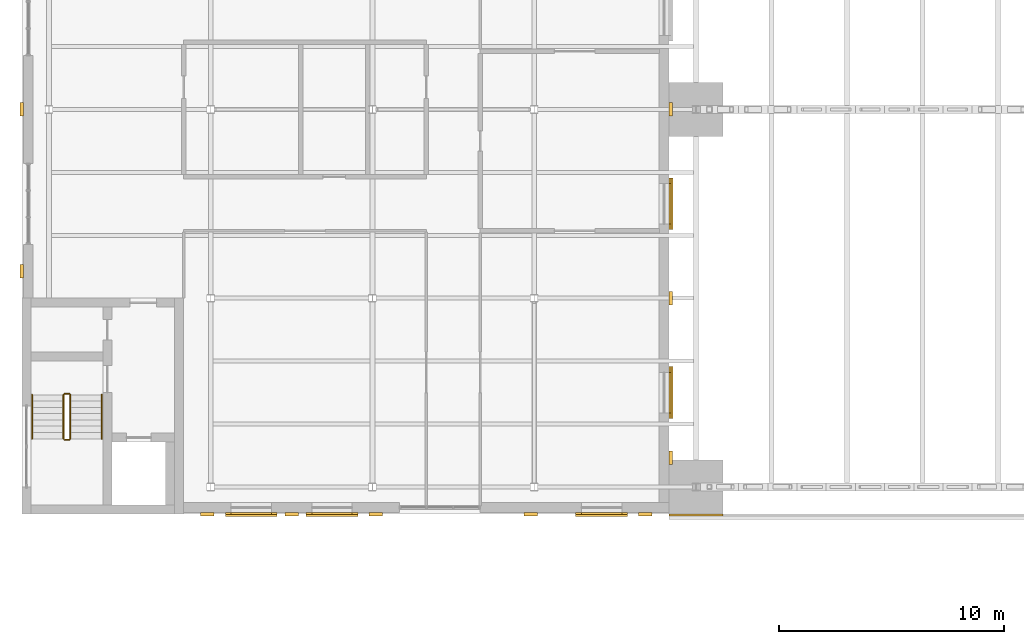
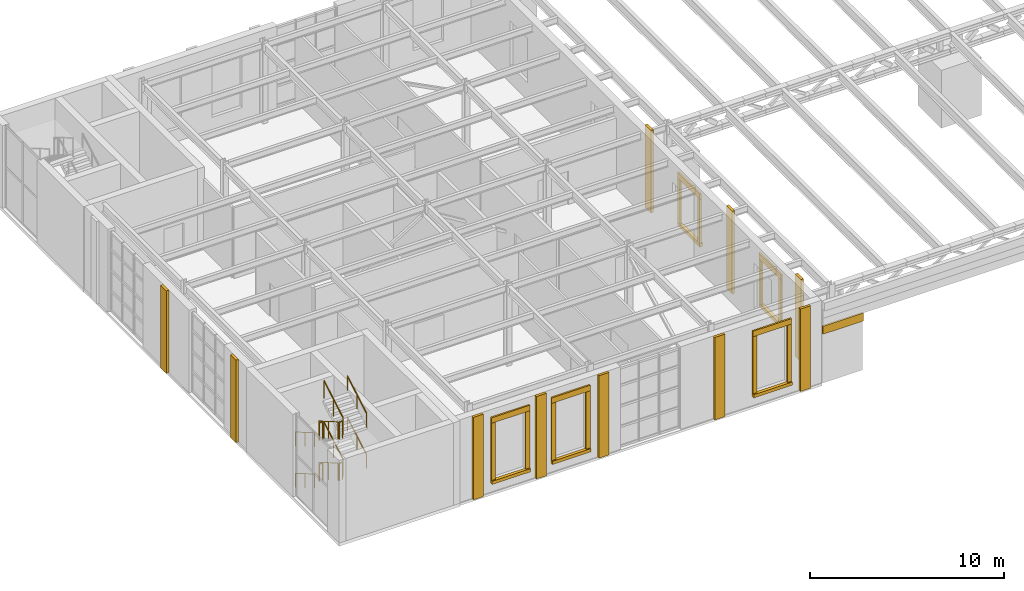
# One storey, part 79 of 93: 31 coverings, 12 railings.
"""IFC4 building model written with IfcOpenShell, lengths in metres."""

import ifcopenshell
import ifcopenshell.guid

model = None  # the IFC model being written
_history = None  # IfcOwnerHistory: only IFC2X3 demands one
_inside = {}  # id of a spatial element -> (the spatial element, [elements in it])
_under = {}  # id of a project, library or spatial element -> (it, [spatial elements below it])
_declared = {}  # id of a project -> (the project, [libraries it declares])
_typed = {}  # id of a type object -> (the type object, [elements of that type])
_made_of = {}  # id of a material, layer set ... -> (it, [elements and type objects made of it])


def new_model(schema):
    """Start an empty IFC model of exactly this schema.

    Asked for "IFC4X3", IfcOpenShell would pick the latest addendum, in which some entities
    have other attributes; the version numbers below select the first issue.
    IFC2X3 requires an IfcOwnerHistory on every rooted entity: one is made here for all.
    """
    global model, _history
    if schema == "IFC4X3":
        model = ifcopenshell.file(schema_version=(4, 3, 0, 0))
    else:
        model = ifcopenshell.file(schema=schema)
    _inside.clear()
    _under.clear()
    _declared.clear()
    _typed.clear()
    _made_of.clear()
    _history = None
    if model.schema == "IFC2X3":
        org = make("IfcOrganization", Name="unknown")
        user = make(
            "IfcPersonAndOrganization",
            ThePerson=make("IfcPerson", FamilyName="unknown"),
            TheOrganization=org,
        )
        app = make(
            "IfcApplication",
            ApplicationDeveloper=org,
            Version="unknown",
            ApplicationFullName="unknown",
            ApplicationIdentifier="unknown",
        )
        _history = make(
            "IfcOwnerHistory",
            OwningUser=user,
            OwningApplication=app,
            ChangeAction="ADDED",
            CreationDate=0,
        )
    return model


def make(cls, **values):
    """One entity of the class cls with the attributes given. An attribute that is None is left unset."""
    return model.create_entity(
        cls, **{name: value for name, value in values.items() if value is not None}
    )


def rooted(cls, **values):
    """An entity with a GlobalId (a new one), such as an element, a storey or a relation."""
    return make(cls, GlobalId=ifcopenshell.guid.new(), OwnerHistory=_history, **values)


def si_unit(unit_type, name, prefix=None):
    """IfcSIUnit, for example si_unit("LENGTHUNIT", "METRE", prefix="MILLI")."""
    return make("IfcSIUnit", UnitType=unit_type, Prefix=prefix, Name=name)


def assignment(units):
    """IfcUnitAssignment: the units of a project."""
    return None if units is None else make("IfcUnitAssignment", Units=units)


def point(xyz):
    """IfcCartesianPoint."""
    return None if xyz is None else make("IfcCartesianPoint", Coordinates=xyz)


def direction(xyz):
    """IfcDirection."""
    return None if xyz is None else make("IfcDirection", DirectionRatios=xyz)


def frame(location, z_axis=None, x_axis=None):
    """IfcAxis2Placement3D, a coordinate frame: its origin and axes. An axis left out is left unset."""
    return make(
        "IfcAxis2Placement3D",
        Location=point(location),
        Axis=direction(z_axis),
        RefDirection=direction(x_axis),
    )


def frame_2d(location, x_axis=None):
    """IfcAxis2Placement2D, a coordinate frame in the plane: its origin and x axis."""
    return make(
        "IfcAxis2Placement2D", Location=point(location), RefDirection=direction(x_axis)
    )


def origin():
    """The frame at (0, 0, 0) with its axes left unset."""
    return frame((0.0, 0.0, 0.0))


def origin_2d():
    """The frame at (0, 0) in the plane with its x axis left unset."""
    return frame_2d((0.0, 0.0))


def place(relative_to, where):
    """IfcLocalPlacement: puts the frame where relative to a parent placement (None: the world)."""
    return make(
        "IfcLocalPlacement", PlacementRelTo=relative_to, RelativePlacement=where
    )


def context(
    kind, dimensions, precision=None, world=None, true_north=None, identifier=None
):
    """IfcGeometricRepresentationContext, for example the 3D "Model" context."""
    return make(
        "IfcGeometricRepresentationContext",
        ContextIdentifier=identifier,
        ContextType=kind,
        CoordinateSpaceDimension=dimensions,
        Precision=precision,
        WorldCoordinateSystem=world,
        TrueNorth=true_north,
    )


def subcontext(parent, identifier, kind, view, scale=None):
    """IfcGeometricRepresentationSubContext, for example "Body" below "Model"."""
    return make(
        "IfcGeometricRepresentationSubContext",
        ContextIdentifier=identifier,
        ContextType=kind,
        ParentContext=parent,
        TargetScale=scale,
        TargetView=view,
    )


def project(units=None, contexts=None):
    """IfcProject with its units and contexts."""
    return rooted(
        "IfcProject",
        Name="project",
        RepresentationContexts=contexts,
        UnitsInContext=assignment(units),
    )


def spatial(cls, under=None, at=None, **own):
    """A site, building, storey or space (cls), placed at a placement, below another one or the project."""
    s = rooted(cls, ObjectPlacement=at, **own)
    if under is not None:
        _under.setdefault(under.id(), (under, []))[1].append(s)
    return s


def profile(cls, at=None, kind="AREA", **sizes):
    """A parametric profile (cls). Its sizes go by their IFC names, for example OverallWidth=200.0."""
    return make(cls, ProfileType=kind, Position=at, **sizes)


def rectangle(**sizes):
    """IfcRectangleProfileDef."""
    return profile("IfcRectangleProfileDef", **sizes)


def circle(**sizes):
    """IfcCircleProfileDef."""
    return profile("IfcCircleProfileDef", **sizes)


def extrude(swept, where, along, depth):
    """IfcExtrudedAreaSolid: the profile swept, set in the frame where, extruded along a direction by depth."""
    return make(
        "IfcExtrudedAreaSolid",
        SweptArea=swept,
        Position=where,
        ExtrudedDirection=direction(along),
        Depth=depth,
    )


def shape(context_of_items, identifier, shape_type, items):
    """IfcShapeRepresentation: the items that make up one representation, for example the "Body"."""
    return make(
        "IfcShapeRepresentation",
        ContextOfItems=context_of_items,
        RepresentationIdentifier=identifier,
        RepresentationType=shape_type,
        Items=items,
    )


def material(Name=None, Category=None):
    """IfcMaterial."""
    return make("IfcMaterial", Name=Name, Category=Category)


def layer(
    of_material, thickness, ventilated=None, Name=None, Category=None, Priority=None
):
    """IfcMaterialLayer: one layer of a wall or slab, of a material (None: an air gap)."""
    return make(
        "IfcMaterialLayer",
        Material=of_material,
        LayerThickness=thickness,
        IsVentilated=ventilated,
        Name=Name,
        Category=Category,
        Priority=Priority,
    )


def layer_set(layers, Name=None):
    """IfcMaterialLayerSet."""
    return make("IfcMaterialLayerSet", MaterialLayers=layers, LayerSetName=Name)


def made_of(thing, what):
    """Note that an element or type object is made of a material, layer set ...; save() writes the relation."""
    if what is not None:
        _made_of.setdefault(what.id(), (what, []))[1].append(thing)
    return thing


def type_object(cls, material=None, **own):
    """A type object (cls), such as IfcWallType, which elements share."""
    return made_of(rooted(cls, **own), material)


def element(
    cls,
    number,
    at=None,
    inside=None,
    cuts=None,
    type_object=None,
    material=None,
    context=None,
    identifier="Body",
    shape_type=None,
    held_by="IfcProductDefinitionShape",
    body=None,
    shapes=None,
    **own,
):
    """One element of the class cls, such as IfcWall. Its Tag is "e" and its number.

    at: its placement. inside: the storey or other place that contains it. cuts: it is an
    opening in that element (IfcRelVoidsElement). A single representation is given by context,
    identifier, shape_type and body (its items); several are given by shapes. held_by: the class
    of the entity that holds the representations. save() writes the other relations.
    """
    e = rooted(cls, Tag="e%d" % number, ObjectPlacement=at, **own)
    if body is not None:
        shapes = [shape(context, identifier, shape_type, body)]
    if shapes is not None:
        e.Representation = make(held_by, Representations=shapes)
    if inside is not None:
        _inside.setdefault(inside.id(), (inside, []))[1].append(e)
    if cuts is not None:
        rooted(
            "IfcRelVoidsElement", RelatingBuildingElement=cuts, RelatedOpeningElement=e
        )
    if type_object is not None:
        _typed.setdefault(type_object.id(), (type_object, []))[1].append(e)
    return made_of(e, material)


def aggregate(whole, parts):
    """IfcRelAggregates: a whole, such as a stair, and the parts it consists of."""
    return rooted("IfcRelAggregates", RelatingObject=whole, RelatedObjects=parts)


def save(model, path):
    """Write the relations noted so far, then the file.

    IfcRelAggregates (storeys below a building ...), IfcRelContainedInSpatialStructure (elements
    in a storey), IfcRelDefinesByType, IfcRelAssociatesMaterial and IfcRelDeclares: one each for
    every whole, place, type object, material and project.
    """
    for whole, parts in _under.values():
        aggregate(whole, parts)
    for where, things in _inside.values():
        rooted(
            "IfcRelContainedInSpatialStructure",
            RelatedElements=things,
            RelatingStructure=where,
        )
    for kind, things in _typed.values():
        rooted("IfcRelDefinesByType", RelatedObjects=things, RelatingType=kind)
    for what, things in _made_of.values():
        rooted("IfcRelAssociatesMaterial", RelatedObjects=things, RelatingMaterial=what)
    for by, libraries in _declared.values():
        rooted("IfcRelDeclares", RelatingContext=by, RelatedDefinitions=libraries)
    model.write(path)


model = new_model("IFC4")

# Units and contexts
model_context = context("Model", 3, precision=1e-05, world=origin(), true_north=direction((0.0, 1.0)))
body_context = subcontext(model_context, "Body", "Model", "MODEL_VIEW")
ifc_project = project(units=[si_unit("LENGTHUNIT", "METRE"), si_unit("AREAUNIT", "SQUARE_METRE"), si_unit("VOLUMEUNIT", "CUBIC_METRE"), si_unit("PLANEANGLEUNIT", "RADIAN"), si_unit("MASSUNIT", "GRAM", prefix="KILO")], contexts=[model_context])

# Site, building, storey
site_placement = place(None, origin())
site = spatial("IfcSite", under=ifc_project, at=site_placement, CompositionType="ELEMENT")
building_placement = place(site_placement, origin())
building = spatial("IfcBuilding", under=site, at=building_placement, Name="Verrick Yard Athletic Hall", CompositionType="ELEMENT")
storey_placement = place(building_placement, frame((0.0, 0.0, 8.800048828125)))
storey = spatial("IfcBuildingStorey", under=building, at=storey_placement, Name="L02", CompositionType="ELEMENT", Elevation=8.800048828125)

# Covering
ifc_material_1 = material(Name="Limestone cladding", Category="masonry")
ifc_layer_1 = layer(ifc_material_1, 0.10009765625)
ifc_layer_set_1 = layer_set([ifc_layer_1], Name="Impost and capital moulding")
covering_type_1 = type_object("IfcCoveringType", Name="Impost and capital moulding", PredefinedType="MOLDING", material=ifc_layer_set_1)
covering_1_placement = place(storey_placement, frame((40.0, 17.949951171875, 3.14990234375), z_axis=(0.0, 0.0, 1.0), x_axis=(1.0, 0.0, 0.0)))
element("IfcCovering", 1, at=covering_1_placement, inside=storey, type_object=covering_type_1, Name="Capital S1", PredefinedType="MOLDING", context=body_context, shape_type="SweptSolid", body=[
    extrude(rectangle(XDim=2.39990234375, YDim=0.10009765625, at=origin_2d()), origin(), (0.0, 0.0, 1.0), 0.5),
])

# Railings
ifc_material_2 = material(Name="Stainless steel", Category="steel")
railing_type_1 = type_object("IfcRailingType", Name="Stair and core guard 1100", PredefinedType="GUARDRAIL", material=ifc_material_2)
railing_1_placement = place(storey_placement, frame((11.85009765625, 23.300048828125, 0.162353515625)))
element("IfcRailing", 2, at=railing_1_placement, inside=storey, type_object=railing_type_1, Name="L02 Wing south-west stair guard 1", PredefinedType="GUARDRAIL", context=body_context, shape_type="SweptSolid", body=[
    extrude(circle(Radius=0.02392578125, at=origin_2d()), frame((0.0, 0.0, 1.076171875), z_axis=(0.0, -0.864855337533, 0.502021160053), x_axis=(1.0, 0.0, 0.0)), (0.0, 0.0, 1.0), 2.26611328125),
    extrude(circle(Radius=0.02099609375, at=origin_2d()), origin(), (0.0, 0.0, 1.0), 1.052001953125),
    extrude(circle(Radius=0.02099609375, at=origin_2d()), frame((0.0, -0.97998046875, 0.56884765625)), (0.0, 0.0, 1.0), 1.052001953125),
    extrude(circle(Radius=0.02099609375, at=origin_2d()), frame((0.0, -1.9599609375, 1.1376953125)), (0.0, 0.0, 1.0), 1.052001953125),
])
railing_2_placement = place(storey_placement, frame((11.89990234375, 21.2900390625, 1.300048828125)))
element("IfcRailing", 3, at=railing_2_placement, inside=storey, type_object=railing_type_1, Name="L02 Wing south-west stair guard 2", PredefinedType="GUARDRAIL", context=body_context, shape_type="SweptSolid", body=[
    extrude(circle(Radius=0.02392578125, at=origin_2d()), frame((0.0, 0.0, 1.076171875), z_axis=(1.0, 0.0, 0.0), x_axis=(0.0, 1.0, 0.0)), (0.0, 0.0, 1.0), 0.2001953125),
    extrude(circle(Radius=0.02099609375, at=origin_2d()), origin(), (0.0, 0.0, 1.0), 1.052001953125),
    extrude(circle(Radius=0.02099609375, at=origin_2d()), frame((0.2001953125, 0.0, 0.0)), (0.0, 0.0, 1.0), 1.052001953125),
])
railing_3_placement = place(storey_placement, frame((12.14990234375, 21.340087890625, 1.46240234375)))
element("IfcRailing", 4, at=railing_3_placement, inside=storey, type_object=railing_type_1, Name="L02 Wing south-west stair guard 3", PredefinedType="GUARDRAIL", context=body_context, shape_type="SweptSolid", body=[
    extrude(circle(Radius=0.02392578125, at=origin_2d()), frame((0.0, 0.0, 1.076171875), z_axis=(0.0, 0.864902109995, 0.501940574298), x_axis=(-1.0, 0.0, 0.0)), (0.0, 0.0, 1.0), 2.26611328125),
    extrude(circle(Radius=0.02099609375, at=origin_2d()), origin(), (0.0, 0.0, 1.0), 1.052001953125),
    extrude(circle(Radius=0.02099609375, at=origin_2d()), frame((0.0, 0.97998046875, 0.56884765625)), (0.0, 0.0, 1.0), 1.052001953125),
    extrude(circle(Radius=0.02099609375, at=origin_2d()), frame((0.0, 1.9599609375, 1.137451171875)), (0.0, 0.0, 1.0), 1.052001953125),
])
railing_4_placement = place(storey_placement, frame((11.89990234375, 23.35009765625, 2.599853515625)))
element("IfcRailing", 5, at=railing_4_placement, inside=storey, type_object=railing_type_1, Name="L02 Wing south-west stair guard 4", PredefinedType="GUARDRAIL", context=body_context, shape_type="SweptSolid", body=[
    extrude(circle(Radius=0.02392578125, at=origin_2d()), frame((0.0, 0.0, 1.076171875), z_axis=(1.0, 0.0, 0.0), x_axis=(0.0, 1.0, 0.0)), (0.0, 0.0, 1.0), 0.2001953125),
    extrude(circle(Radius=0.02099609375, at=origin_2d()), origin(), (0.0, 0.0, 1.0), 1.052001953125),
    extrude(circle(Radius=0.02099609375, at=origin_2d()), frame((0.2001953125, 0.0, 0.0)), (0.0, 0.0, 1.0), 1.052001953125),
])
railing_5_placement = place(storey_placement, frame((11.85009765625, 23.300048828125, 2.762451171875)))
element("IfcRailing", 6, at=railing_5_placement, inside=storey, type_object=railing_type_1, Name="L02 Wing south-west stair guard 5", PredefinedType="GUARDRAIL", context=body_context, shape_type="SweptSolid", body=[
    extrude(circle(Radius=0.02392578125, at=origin_2d()), frame((0.0, 0.0, 1.076171875), z_axis=(0.0, -0.864902109995, 0.501940574298), x_axis=(1.0, 0.0, 0.0)), (0.0, 0.0, 1.0), 2.26611328125),
    extrude(circle(Radius=0.02099609375, at=origin_2d()), origin(), (0.0, 0.0, 1.0), 1.052001953125),
    extrude(circle(Radius=0.02099609375, at=origin_2d()), frame((0.0, -0.97998046875, 0.56884765625)), (0.0, 0.0, 1.0), 1.052001953125),
    extrude(circle(Radius=0.02099609375, at=origin_2d()), frame((0.0, -1.9599609375, 1.137451171875)), (0.0, 0.0, 1.0), 1.052001953125),
])
railing_6_placement = place(storey_placement, frame((11.89990234375, 21.2900390625, 3.89990234375)))
element("IfcRailing", 7, at=railing_6_placement, inside=storey, type_object=railing_type_1, Name="L02 Wing south-west stair guard 6", PredefinedType="GUARDRAIL", context=body_context, shape_type="SweptSolid", body=[
    extrude(circle(Radius=0.02392578125, at=origin_2d()), frame((0.0, 0.0, 1.076171875), z_axis=(1.0, 0.0, 0.0), x_axis=(0.0, 1.0, 0.0)), (0.0, 0.0, 1.0), 0.2001953125),
    extrude(circle(Radius=0.02099609375, at=origin_2d()), origin(), (0.0, 0.0, 1.0), 1.052001953125),
    extrude(circle(Radius=0.02099609375, at=origin_2d()), frame((0.2001953125, 0.0, 0.0)), (0.0, 0.0, 1.0), 1.052001953125),
])
railing_7_placement = place(storey_placement, frame((12.14990234375, 21.340087890625, 4.0625)))
element("IfcRailing", 8, at=railing_7_placement, inside=storey, type_object=railing_type_1, Name="L02 Wing south-west stair guard 7", PredefinedType="GUARDRAIL", context=body_context, shape_type="SweptSolid", body=[
    extrude(circle(Radius=0.02392578125, at=origin_2d()), frame((0.0, 0.0, 1.076171875), z_axis=(0.0, 0.864902109995, 0.501940574298), x_axis=(-1.0, 0.0, 0.0)), (0.0, 0.0, 1.0), 2.26611328125),
    extrude(circle(Radius=0.02099609375, at=origin_2d()), origin(), (0.0, 0.0, 1.0), 1.052001953125),
    extrude(circle(Radius=0.02099609375, at=origin_2d()), frame((0.0, 0.97998046875, 0.56884765625)), (0.0, 0.0, 1.0), 1.052001953125),
    extrude(circle(Radius=0.02099609375, at=origin_2d()), frame((0.0, 1.9599609375, 1.137451171875)), (0.0, 0.0, 1.0), 1.052001953125),
])
railing_8_placement = place(storey_placement, frame((11.89990234375, 23.35009765625, 0.0)))
element("IfcRailing", 9, at=railing_8_placement, inside=storey, type_object=railing_type_1, Name="L02 Wing south-west stair guard 8", PredefinedType="GUARDRAIL", context=body_context, shape_type="SweptSolid", body=[
    extrude(circle(Radius=0.02392578125, at=origin_2d()), frame((0.0, 0.0, 1.076171875), z_axis=(1.0, 0.0, 0.0), x_axis=(0.0, 1.0, 0.0)), (0.0, 0.0, 1.0), 0.2001953125),
    extrude(circle(Radius=0.02099609375, at=origin_2d()), origin(), (0.0, 0.0, 1.0), 1.052001953125),
    extrude(circle(Radius=0.02099609375, at=origin_2d()), frame((0.2001953125, 0.0, 0.0)), (0.0, 0.0, 1.0), 1.052001953125),
])
railing_type_2 = type_object("IfcRailingType", Name="Stair handrail 900", PredefinedType="HANDRAIL", material=ifc_material_2)
railing_9_placement = place(storey_placement, frame((10.449951171875, 23.300048828125, 0.162353515625)))
element("IfcRailing", 10, at=railing_9_placement, inside=storey, type_object=railing_type_2, Name="L02 Wing south-west stair handrail 1", PredefinedType="HANDRAIL", context=body_context, shape_type="SweptSolid", body=[
    extrude(circle(Radius=0.02392578125, at=origin_2d()), frame((0.0, 0.0, 0.8759765625), z_axis=(0.0, -0.864855337533, 0.502021160053), x_axis=(1.0, 0.0, 0.0)), (0.0, 0.0, 1.0), 2.26611328125),
    extrude(circle(Radius=0.02099609375, at=origin_2d()), origin(), (0.0, 0.0, 1.0), 0.851806640625),
    extrude(circle(Radius=0.02099609375, at=origin_2d()), frame((0.0, -0.97998046875, 0.56884765625)), (0.0, 0.0, 1.0), 0.851806640625),
    extrude(circle(Radius=0.02099609375, at=origin_2d()), frame((0.0, -1.9599609375, 1.1376953125)), (0.0, 0.0, 1.0), 0.851806640625),
])
railing_10_placement = place(storey_placement, frame((13.550048828125, 21.340087890625, 1.46240234375)))
element("IfcRailing", 11, at=railing_10_placement, inside=storey, type_object=railing_type_2, Name="L02 Wing south-west stair handrail 2", PredefinedType="HANDRAIL", context=body_context, shape_type="SweptSolid", body=[
    extrude(circle(Radius=0.02392578125, at=origin_2d()), frame((0.0, 0.0, 0.8759765625), z_axis=(0.0, 0.864902109995, 0.501940574298), x_axis=(-1.0, 0.0, 0.0)), (0.0, 0.0, 1.0), 2.26611328125),
    extrude(circle(Radius=0.02099609375, at=origin_2d()), origin(), (0.0, 0.0, 1.0), 0.851806640625),
    extrude(circle(Radius=0.02099609375, at=origin_2d()), frame((0.0, 0.97998046875, 0.56884765625)), (0.0, 0.0, 1.0), 0.851806640625),
    extrude(circle(Radius=0.02099609375, at=origin_2d()), frame((0.0, 1.9599609375, 1.137451171875)), (0.0, 0.0, 1.0), 0.851806640625),
])
railing_11_placement = place(storey_placement, frame((10.449951171875, 23.300048828125, 2.762451171875)))
element("IfcRailing", 12, at=railing_11_placement, inside=storey, type_object=railing_type_2, Name="L02 Wing south-west stair handrail 3", PredefinedType="HANDRAIL", context=body_context, shape_type="SweptSolid", body=[
    extrude(circle(Radius=0.02392578125, at=origin_2d()), frame((0.0, 0.0, 0.8759765625), z_axis=(0.0, -0.864902109995, 0.501940574298), x_axis=(1.0, 0.0, 0.0)), (0.0, 0.0, 1.0), 2.26611328125),
    extrude(circle(Radius=0.02099609375, at=origin_2d()), origin(), (0.0, 0.0, 1.0), 0.851806640625),
    extrude(circle(Radius=0.02099609375, at=origin_2d()), frame((0.0, -0.97998046875, 0.56884765625)), (0.0, 0.0, 1.0), 0.851806640625),
    extrude(circle(Radius=0.02099609375, at=origin_2d()), frame((0.0, -1.9599609375, 1.137451171875)), (0.0, 0.0, 1.0), 0.851806640625),
])
railing_12_placement = place(storey_placement, frame((13.550048828125, 21.340087890625, 4.0625)))
element("IfcRailing", 13, at=railing_12_placement, inside=storey, type_object=railing_type_2, Name="L02 Wing south-west stair handrail 4", PredefinedType="HANDRAIL", context=body_context, shape_type="SweptSolid", body=[
    extrude(circle(Radius=0.02392578125, at=origin_2d()), frame((0.0, 0.0, 0.8759765625), z_axis=(0.0, 0.864902109995, 0.501940574298), x_axis=(-1.0, 0.0, 0.0)), (0.0, 0.0, 1.0), 2.26611328125),
    extrude(circle(Radius=0.02099609375, at=origin_2d()), origin(), (0.0, 0.0, 1.0), 0.851806640625),
    extrude(circle(Radius=0.02099609375, at=origin_2d()), frame((0.0, 0.97998046875, 0.56884765625)), (0.0, 0.0, 1.0), 0.851806640625),
    extrude(circle(Radius=0.02099609375, at=origin_2d()), frame((0.0, 1.9599609375, 1.137451171875)), (0.0, 0.0, 1.0), 0.851806640625),
])

# Coverings
ifc_material_3 = material(Name="Tyndall-stone-look precast cladding", Category="masonry")
ifc_layer_2 = layer(ifc_material_3, 0.125)
ifc_layer_set_2 = layer_set([ifc_layer_2], Name="Stone cladding")
covering_type_2 = type_object("IfcCoveringType", Name="Stone cladding", PredefinedType="CLADDING", material=ifc_layer_set_2)
for number, where, z_axis, x_axis, name in (
    (14, (18.25, 17.987548828125, 0.0), (0.0, 0.0, 1.0), (1.0, 0.0, 0.0), "Wing pilaster"),
    (15, (22.0, 17.987548828125, 0.0), (0.0, 0.0, 1.0), (1.0, 0.0, 0.0), "Wing pilaster"),
    (16, (25.75, 17.987548828125, 0.0), (0.0, 0.0, 1.0), (1.0, 0.0, 0.0), "Wing pilaster"),
    (17, (32.64990234375, 17.987548828125, 0.0), (0.0, 0.0, 1.0), (1.0, 0.0, 0.0), "Wing pilaster"),
    (18, (37.75, 17.987548828125, 0.0), (0.0, 0.0, 1.0), (1.0, 0.0, 0.0), "Wing pilaster"),
    (19, (9.987548828125, 28.800048828125, 0.0), (0.0, 0.0, 1.0), (0.0, 1.0, 0.0), "Wing pilaster"),
    (20, (9.987548828125, 36.0, 0.0), (0.0, 0.0, 1.0), (0.0, 1.0, 0.0), "Wing pilaster"),
    (21, (38.875, 20.5, 0.0), (0.0, 0.0, 1.0), (0.0, 1.0, 0.0), "Wing pilaster"),
    (22, (38.875, 27.60009765625, 0.0), (0.0, 0.0, 1.0), (0.0, 1.0, 0.0), "Wing pilaster"),
    (23, (38.875, 36.0, 0.0), (0.0, 0.0, 1.0), (0.0, 1.0, 0.0), "Wing pilaster"),
):
    element("IfcCovering", number, at=place(storey_placement, frame(where, z_axis=z_axis, x_axis=x_axis)), inside=storey, type_object=covering_type_2, Name=name, PredefinedType="CLADDING", context=body_context, shape_type="SweptSolid", body=[
        extrude(rectangle(XDim=0.60009765625, YDim=0.14990234375, at=origin_2d()), origin(), (0.0, 0.0, 1.0), 5.199951171875),
    ])
ifc_layer_3 = layer(ifc_material_3, 0.25)
ifc_layer_set_3 = layer_set([ifc_layer_3], Name="Stone moulding")
covering_type_3 = type_object("IfcCoveringType", Name="Stone moulding", PredefinedType="MOLDING", material=ifc_layer_set_3)
covering_2_placement = place(storey_placement, frame((20.199951171875, 17.972412109375, 0.60009765625), z_axis=(0.0, 0.0, 1.0), x_axis=(1.0, 0.0, 0.0)))
element("IfcCovering", 24, at=covering_2_placement, inside=storey, type_object=covering_type_3, Name="Window sill", PredefinedType="MOLDING", context=body_context, shape_type="SweptSolid", body=[
    extrude(rectangle(XDim=2.300048828125, YDim=0.179931640625, at=origin_2d()), origin(), (0.0, 0.0, 1.0), 0.199951171875),
])
covering_3_placement = place(storey_placement, frame((20.199951171875, 18.012451171875, 4.39990234375), z_axis=(0.0, 0.0, 1.0), x_axis=(1.0, 0.0, 0.0)))
element("IfcCovering", 25, at=covering_3_placement, inside=storey, type_object=covering_type_3, Name="Window head", PredefinedType="MOLDING", context=body_context, shape_type="SweptSolid", body=[
    extrude(rectangle(XDim=2.300048828125, YDim=0.10009765625, at=origin_2d()), origin(), (0.0, 0.0, 1.0), 0.35009765625),
])
for number, where, z_axis, x_axis, name in (
    (26, (19.175048828125, 18.012451171875, 0.7998046875), (0.0, 0.0, 1.0), (1.0, 0.0, 0.0), "Window jamb"),
    (27, (21.22509765625, 18.012451171875, 0.7998046875), (0.0, 0.0, 1.0), (1.0, 0.0, 0.0), "Window jamb"),
):
    element("IfcCovering", number, at=place(storey_placement, frame(where, z_axis=z_axis, x_axis=x_axis)), inside=storey, type_object=covering_type_3, Name=name, PredefinedType="MOLDING", context=body_context, shape_type="SweptSolid", body=[
        extrude(rectangle(XDim=0.25, YDim=0.10009765625, at=origin_2d()), origin(), (0.0, 0.0, 1.0), 3.60009765625),
    ])
covering_4_placement = place(storey_placement, frame((23.800048828125, 17.972412109375, 0.60009765625), z_axis=(0.0, 0.0, 1.0), x_axis=(1.0, 0.0, 0.0)))
element("IfcCovering", 28, at=covering_4_placement, inside=storey, type_object=covering_type_3, Name="Window sill", PredefinedType="MOLDING", context=body_context, shape_type="SweptSolid", body=[
    extrude(rectangle(XDim=2.300048828125, YDim=0.179931640625, at=origin_2d()), origin(), (0.0, 0.0, 1.0), 0.199951171875),
])
covering_5_placement = place(storey_placement, frame((23.800048828125, 18.012451171875, 4.39990234375), z_axis=(0.0, 0.0, 1.0), x_axis=(1.0, 0.0, 0.0)))
element("IfcCovering", 29, at=covering_5_placement, inside=storey, type_object=covering_type_3, Name="Window head", PredefinedType="MOLDING", context=body_context, shape_type="SweptSolid", body=[
    extrude(rectangle(XDim=2.300048828125, YDim=0.10009765625, at=origin_2d()), origin(), (0.0, 0.0, 1.0), 0.35009765625),
])
for number, where, z_axis, x_axis, name in (
    (30, (22.77490234375, 18.012451171875, 0.7998046875), (0.0, 0.0, 1.0), (1.0, 0.0, 0.0), "Window jamb"),
    (31, (24.824951171875, 18.012451171875, 0.7998046875), (0.0, 0.0, 1.0), (1.0, 0.0, 0.0), "Window jamb"),
):
    element("IfcCovering", number, at=place(storey_placement, frame(where, z_axis=z_axis, x_axis=x_axis)), inside=storey, type_object=covering_type_3, Name=name, PredefinedType="MOLDING", context=body_context, shape_type="SweptSolid", body=[
        extrude(rectangle(XDim=0.25, YDim=0.10009765625, at=origin_2d()), origin(), (0.0, 0.0, 1.0), 3.60009765625),
    ])
covering_6_placement = place(storey_placement, frame((35.800048828125, 17.972412109375, 0.60009765625), z_axis=(0.0, 0.0, 1.0), x_axis=(1.0, 0.0, 0.0)))
element("IfcCovering", 32, at=covering_6_placement, inside=storey, type_object=covering_type_3, Name="Window sill", PredefinedType="MOLDING", context=body_context, shape_type="SweptSolid", body=[
    extrude(rectangle(XDim=2.300048828125, YDim=0.179931640625, at=origin_2d()), origin(), (0.0, 0.0, 1.0), 0.199951171875),
])
covering_7_placement = place(storey_placement, frame((35.800048828125, 18.012451171875, 4.39990234375), z_axis=(0.0, 0.0, 1.0), x_axis=(1.0, 0.0, 0.0)))
element("IfcCovering", 33, at=covering_7_placement, inside=storey, type_object=covering_type_3, Name="Window head", PredefinedType="MOLDING", context=body_context, shape_type="SweptSolid", body=[
    extrude(rectangle(XDim=2.300048828125, YDim=0.10009765625, at=origin_2d()), origin(), (0.0, 0.0, 1.0), 0.35009765625),
])
for number, where, z_axis, x_axis, name in (
    (34, (34.77490234375, 18.012451171875, 0.7998046875), (0.0, 0.0, 1.0), (1.0, 0.0, 0.0), "Window jamb"),
    (35, (36.824951171875, 18.012451171875, 0.7998046875), (0.0, 0.0, 1.0), (1.0, 0.0, 0.0), "Window jamb"),
):
    element("IfcCovering", number, at=place(storey_placement, frame(where, z_axis=z_axis, x_axis=x_axis)), inside=storey, type_object=covering_type_3, Name=name, PredefinedType="MOLDING", context=body_context, shape_type="SweptSolid", body=[
        extrude(rectangle(XDim=0.25, YDim=0.10009765625, at=origin_2d()), origin(), (0.0, 0.0, 1.0), 3.60009765625),
    ])
covering_8_placement = place(storey_placement, frame((38.889892578125, 23.39990234375, 0.89990234375), z_axis=(0.0, 0.0, 1.0), x_axis=(0.0, 1.0, 0.0)))
element("IfcCovering", 36, at=covering_8_placement, inside=storey, type_object=covering_type_3, Name="Window sill", PredefinedType="MOLDING", context=body_context, shape_type="SweptSolid", body=[
    extrude(rectangle(XDim=2.300048828125, YDim=0.179931640625, at=origin_2d()), origin(), (0.0, 0.0, 1.0), 0.199951171875),
])
covering_9_placement = place(storey_placement, frame((38.85009765625, 23.39990234375, 3.89990234375), z_axis=(0.0, 0.0, 1.0), x_axis=(0.0, 1.0, 0.0)))
element("IfcCovering", 37, at=covering_9_placement, inside=storey, type_object=covering_type_3, Name="Window head", PredefinedType="MOLDING", context=body_context, shape_type="SweptSolid", body=[
    extrude(rectangle(XDim=2.300048828125, YDim=0.10009765625, at=origin_2d()), origin(), (0.0, 0.0, 1.0), 0.35009765625),
])
for number, where, z_axis, x_axis, name in (
    (38, (38.85009765625, 22.375, 1.10009765625), (0.0, 0.0, 1.0), (0.0, 1.0, 0.0), "Window jamb"),
    (39, (38.85009765625, 24.425048828125, 1.10009765625), (0.0, 0.0, 1.0), (0.0, 1.0, 0.0), "Window jamb"),
):
    element("IfcCovering", number, at=place(storey_placement, frame(where, z_axis=z_axis, x_axis=x_axis)), inside=storey, type_object=covering_type_3, Name=name, PredefinedType="MOLDING", context=body_context, shape_type="SweptSolid", body=[
        extrude(rectangle(XDim=0.25, YDim=0.10009765625, at=origin_2d()), origin(), (0.0, 0.0, 1.0), 2.800048828125),
    ])
covering_10_placement = place(storey_placement, frame((38.889892578125, 31.800048828125, 0.89990234375), z_axis=(0.0, 0.0, 1.0), x_axis=(0.0, 1.0, 0.0)))
element("IfcCovering", 40, at=covering_10_placement, inside=storey, type_object=covering_type_3, Name="Window sill", PredefinedType="MOLDING", context=body_context, shape_type="SweptSolid", body=[
    extrude(rectangle(XDim=2.300048828125, YDim=0.179931640625, at=origin_2d()), origin(), (0.0, 0.0, 1.0), 0.199951171875),
])
covering_11_placement = place(storey_placement, frame((38.85009765625, 31.800048828125, 3.89990234375), z_axis=(0.0, 0.0, 1.0), x_axis=(0.0, 1.0, 0.0)))
element("IfcCovering", 41, at=covering_11_placement, inside=storey, type_object=covering_type_3, Name="Window head", PredefinedType="MOLDING", context=body_context, shape_type="SweptSolid", body=[
    extrude(rectangle(XDim=2.300048828125, YDim=0.10009765625, at=origin_2d()), origin(), (0.0, 0.0, 1.0), 0.35009765625),
])
for number, where, z_axis, x_axis, name in (
    (42, (38.85009765625, 30.77490234375, 1.10009765625), (0.0, 0.0, 1.0), (0.0, 1.0, 0.0), "Window jamb"),
    (43, (38.85009765625, 32.824951171875, 1.10009765625), (0.0, 0.0, 1.0), (0.0, 1.0, 0.0), "Window jamb"),
):
    element("IfcCovering", number, at=place(storey_placement, frame(where, z_axis=z_axis, x_axis=x_axis)), inside=storey, type_object=covering_type_3, Name=name, PredefinedType="MOLDING", context=body_context, shape_type="SweptSolid", body=[
        extrude(rectangle(XDim=0.25, YDim=0.10009765625, at=origin_2d()), origin(), (0.0, 0.0, 1.0), 2.800048828125),
    ])

save(model, "model.ifc")
